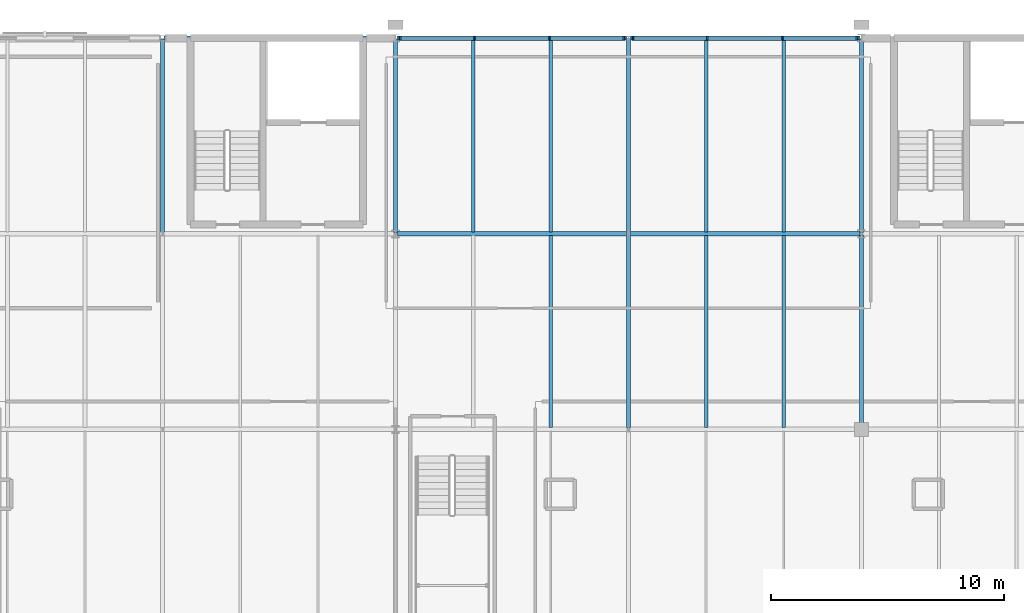
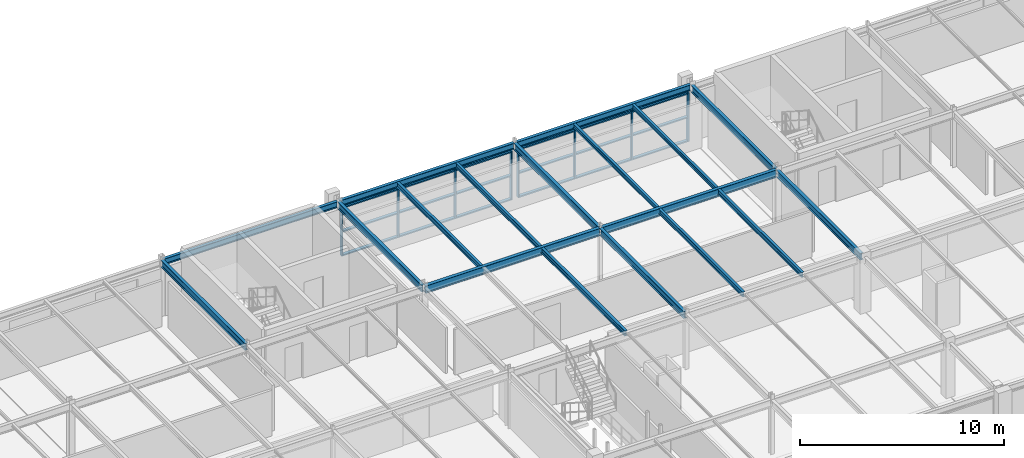
# One storey, part 83 of 109: 26 members, 18 beams, 2 elements without a shape of their own.
"""IFC4 building model written with IfcOpenShell, lengths in metres."""

from ifc_helpers import new_model, si_unit, derived_unit, direction, frame, origin, origin_2d_with_axis, place, context, subcontext, project, spatial, rectangle, i_section, extrude, material, material_profile, profile_set, type_object, element, aggregate, save


model = new_model("IFC4")

# Units and contexts
model_context = context("Model", 3, precision=1e-05, world=origin(), true_north=direction((0.0, 1.0)))
body_context = subcontext(model_context, "Body", "Model", "MODEL_VIEW")
ifc_project = project(units=[si_unit("LENGTHUNIT", "METRE"), si_unit("AREAUNIT", "SQUARE_METRE"), si_unit("VOLUMEUNIT", "CUBIC_METRE"), si_unit("PLANEANGLEUNIT", "RADIAN"), si_unit("MASSUNIT", "GRAM", prefix="KILO"), derived_unit("THERMALTRANSMITTANCEUNIT", [(si_unit("POWERUNIT", "WATT"), 1), (si_unit("LENGTHUNIT", "METRE"), -2), (si_unit("THERMODYNAMICTEMPERATUREUNIT", "KELVIN"), -1)])], contexts=[model_context])

# Site, building, storey
site_placement = place(None, origin())
site = spatial("IfcSite", under=ifc_project, at=site_placement, CompositionType="ELEMENT")
building_placement = place(site_placement, origin())
building = spatial("IfcBuilding", under=site, at=building_placement, Name="Cinnabar Yard Market Hall", CompositionType="ELEMENT")
storey_placement = place(building_placement, frame((0.0, 0.0, 8.39990234375)))
storey = spatial("IfcBuildingStorey", under=building, at=storey_placement, Name="L02", CompositionType="ELEMENT", Elevation=8.39990234375)

# Beams
ifc_material_1 = material(Name="Steel Grade 300 (300 MPa)", Category="steel")
ifc_material_profile_1 = material_profile(ifc_material_1, i_section(OverallWidth=0.18994140625, OverallDepth=0.453857421875, WebThickness=0.008544921875, FlangeThickness=0.0126953125, FilletRadius=0.011474609375, at=origin_2d_with_axis()), Name="460UB67.1")
ifc_profile_set_1 = profile_set([ifc_material_profile_1], Name="Steel Grade 300 (300 MPa)")
beam_type_1 = type_object("IfcBeamType", Name="BM-B05", PredefinedType="BEAM", material=ifc_profile_set_1)
for number, where, z_axis, x_axis, name in (
    (1, (106.06005859375, 129.60009765625, 3.13330078125), (1.0, 0.0, 0.0), (0.0, 1.0, 0.0), "V3 L02 Girder X 01210"),
    (2, (116.06005859375, 129.60009765625, 3.13330078125), (1.0, 0.0, 0.0), (0.0, 1.0, 0.0), "V3 L02 Girder X 01215"),
):
    element("IfcBeam", number, at=place(storey_placement, frame(where, z_axis=z_axis, x_axis=x_axis)), inside=storey, type_object=beam_type_1, Name=name, PredefinedType="BEAM", context=body_context, shape_type="SweptSolid", body=[
        extrude(i_section(OverallWidth=0.18994140625, OverallDepth=0.453857421875, WebThickness=0.008544921875, FlangeThickness=0.0126953125, FilletRadius=0.011474609375, at=origin_2d_with_axis()), origin(), (0.0, 0.0, 1.0), 9.8798828125),
    ])
ifc_material_profile_2 = material_profile(ifc_material_1, i_section(OverallWidth=0.177978515625, OverallDepth=0.406494140625, WebThickness=0.0078125, FlangeThickness=0.0126953125, FilletRadius=0.011474609375, at=origin_2d_with_axis()), Name="410UB59.7")
ifc_profile_set_2 = profile_set([ifc_material_profile_2], Name="Steel Grade 300 (300 MPa)")
beam_type_2 = type_object("IfcBeamType", Name="BM-B06", PredefinedType="BEAM", material=ifc_profile_set_2)
for number, where, z_axis, x_axis, name in (
    (3, (96.0, 129.659912109375, 3.156982421875), (0.0, 1.0, 0.0), (-1.0, 0.0, 0.0), "V3 L02 Girder Y 01252"),
    (4, (106.0, 129.659912109375, 3.156982421875), (0.0, 1.0, 0.0), (-1.0, 0.0, 0.0), "V3 L02 Girder Y 01256"),
    (5, (116.0, 121.260009765625, 3.156982421875), (0.0, 1.0, 0.0), (-1.0, 0.0, 0.0), "V3 L02 Girder Y 01259"),
    (6, (116.0, 129.659912109375, 3.156982421875), (0.0, 1.0, 0.0), (-1.0, 0.0, 0.0), "V3 L02 Girder Y 01260"),
    (7, (126.0, 121.260009765625, 3.156982421875), (0.0, 1.0, 0.0), (-1.0, 0.0, 0.0), "V3 L02 Girder Y 01263"),
    (8, (126.0, 129.659912109375, 3.156982421875), (0.0, 1.0, 0.0), (-1.0, 0.0, 0.0), "V3 L02 Girder Y 01264"),
):
    element("IfcBeam", number, at=place(storey_placement, frame(where, z_axis=z_axis, x_axis=x_axis)), inside=storey, type_object=beam_type_2, Name=name, PredefinedType="BEAM", context=body_context, shape_type="SweptSolid", body=[
        extrude(i_section(OverallWidth=0.177978515625, OverallDepth=0.406494140625, WebThickness=0.0078125, FlangeThickness=0.0126953125, FilletRadius=0.011474609375, at=origin_2d_with_axis()), origin(), (0.0, 0.0, 1.0), 8.280029296875),
    ])
ifc_material_profile_3 = material_profile(ifc_material_1, i_section(OverallWidth=0.14892578125, OverallDepth=0.298095703125, WebThickness=0.005615234375, FlangeThickness=0.008056640625, FilletRadius=0.0087890625, at=origin_2d_with_axis()), Name="310UB32.0")
ifc_profile_set_3 = profile_set([ifc_material_profile_3], Name="Steel Grade 300 (300 MPa)")
beam_type_3 = type_object("IfcBeamType", Name="BM-J02", PredefinedType="JOIST", material=ifc_profile_set_3)
for number, where, z_axis, x_axis, name in (
    (9, (119.333251953125, 121.27490234375, 3.211181640625), (0.0, 1.0, 0.0), (-1.0, 0.0, 0.0), "V3 L02 Joist 01320"),
    (10, (122.666748046875, 121.27490234375, 3.211181640625), (0.0, 1.0, 0.0), (-1.0, 0.0, 0.0), "V3 L02 Joist 01324"),
):
    element("IfcBeam", number, at=place(storey_placement, frame(where, z_axis=z_axis, x_axis=x_axis)), inside=storey, type_object=beam_type_3, Name=name, PredefinedType="JOIST", context=body_context, shape_type="SweptSolid", body=[
        extrude(i_section(OverallWidth=0.14892578125, OverallDepth=0.298095703125, WebThickness=0.005615234375, FlangeThickness=0.008056640625, FilletRadius=0.0087890625, at=origin_2d_with_axis()), origin(), (0.0, 0.0, 1.0), 8.25),
    ])
ifc_material_profile_4 = material_profile(ifc_material_1, i_section(OverallWidth=0.14599609375, OverallDepth=0.256103515625, WebThickness=0.00634765625, FlangeThickness=0.010986328125, FilletRadius=0.0087890625, at=origin_2d_with_axis()), Name="250UB37.3")
ifc_profile_set_4 = profile_set([ifc_material_profile_4], Name="Steel Grade 300 (300 MPa)")
beam_type_4 = type_object("IfcBeamType", Name="BM-J03", PredefinedType="JOIST", material=ifc_profile_set_4)
for number, where, z_axis, x_axis, name in (
    (11, (119.333251953125, 129.675048828125, 3.23193359375), (0.0, 1.0, 0.0), (-1.0, 0.0, 0.0), "V3 L02 Joist 01321"),
    (12, (122.666748046875, 129.675048828125, 3.23193359375), (0.0, 1.0, 0.0), (-1.0, 0.0, 0.0), "V3 L02 Joist 01325"),
):
    element("IfcBeam", number, at=place(storey_placement, frame(where, z_axis=z_axis, x_axis=x_axis)), inside=storey, type_object=beam_type_4, Name=name, PredefinedType="JOIST", context=body_context, shape_type="SweptSolid", body=[
        extrude(i_section(OverallWidth=0.14599609375, OverallDepth=0.256103515625, WebThickness=0.00634765625, FlangeThickness=0.010986328125, FilletRadius=0.0087890625, at=origin_2d_with_axis()), origin(), (0.0, 0.0, 1.0), 8.25),
    ])
ifc_material_profile_5 = material_profile(ifc_material_1, i_section(OverallWidth=0.1650390625, OverallDepth=0.303955078125, WebThickness=0.006103515625, FlangeThickness=0.01025390625, FilletRadius=0.011474609375, at=origin_2d_with_axis()), Name="310UB40.4")
ifc_profile_set_5 = profile_set([ifc_material_profile_5], Name="Steel Grade 300 (300 MPa)")
beam_type_5 = type_object("IfcBeamType", Name="BM-J16", PredefinedType="JOIST", material=ifc_profile_set_5)
beam_placement = place(storey_placement, frame((112.666748046875, 121.27490234375, 3.2080078125), z_axis=(0.0, 1.0, 0.0), x_axis=(-1.0, 0.0, 0.0)))
element("IfcBeam", 13, at=beam_placement, inside=storey, type_object=beam_type_5, Name="V3 L02 Joist 01316", PredefinedType="JOIST", context=body_context, shape_type="SweptSolid", body=[
    extrude(i_section(OverallWidth=0.1650390625, OverallDepth=0.303955078125, WebThickness=0.006103515625, FlangeThickness=0.01025390625, FilletRadius=0.011474609375, at=origin_2d_with_axis()), origin(), (0.0, 0.0, 1.0), 8.25),
])
ifc_material_profile_6 = material_profile(ifc_material_1, i_section(OverallWidth=0.14892578125, OverallDepth=0.298095703125, WebThickness=0.005615234375, FlangeThickness=0.008056640625, FilletRadius=0.0087890625, at=origin_2d_with_axis()), Name="310UB32.0")
ifc_profile_set_6 = profile_set([ifc_material_profile_6], Name="Steel Grade 300 (300 MPa)")
beam_type_6 = type_object("IfcBeamType", Name="BM-J17", PredefinedType="JOIST", material=ifc_profile_set_6)
for number, where, z_axis, x_axis, name in (
    (14, (109.333251953125, 129.675048828125, 3.211181640625), (0.0, 1.0, 0.0), (-1.0, 0.0, 0.0), "V3 L02 Joist 01313"),
    (15, (112.666748046875, 129.675048828125, 3.211181640625), (0.0, 1.0, 0.0), (-1.0, 0.0, 0.0), "V3 L02 Joist 01317"),
):
    element("IfcBeam", number, at=place(storey_placement, frame(where, z_axis=z_axis, x_axis=x_axis)), inside=storey, type_object=beam_type_6, Name=name, PredefinedType="JOIST", context=body_context, shape_type="SweptSolid", body=[
        extrude(i_section(OverallWidth=0.14892578125, OverallDepth=0.298095703125, WebThickness=0.005615234375, FlangeThickness=0.008056640625, FilletRadius=0.0087890625, at=origin_2d_with_axis()), origin(), (0.0, 0.0, 1.0), 8.25),
    ])
ifc_material_profile_7 = material_profile(ifc_material_1, i_section(OverallWidth=0.172119140625, OverallDepth=0.358642578125, WebThickness=0.008056640625, FlangeThickness=0.012939453125, FilletRadius=0.011474609375, at=origin_2d_with_axis()), Name="360UB56.7")
ifc_profile_set_7 = profile_set([ifc_material_profile_7], Name="Steel Grade 300 (300 MPa)")
beam_type_7 = type_object("IfcBeamType", Name="BM-SP02E", PredefinedType="SPANDREL", material=ifc_profile_set_7)
for number, where, z_axis, x_axis, name in (
    (16, (96.06005859375, 138.0, 3.180908203125), (1.0, 0.0, 0.0), (0.0, 1.0, 0.0), "V3 L02 Girder X 01206"),
    (17, (106.06005859375, 138.0, 3.180908203125), (1.0, 0.0, 0.0), (0.0, 1.0, 0.0), "V3 L02 Girder X 01211"),
    (18, (116.06005859375, 138.0, 3.180908203125), (1.0, 0.0, 0.0), (0.0, 1.0, 0.0), "V3 L02 Girder X 01216"),
):
    element("IfcBeam", number, at=place(storey_placement, frame(where, z_axis=z_axis, x_axis=x_axis)), inside=storey, type_object=beam_type_7, Name=name, PredefinedType="SPANDREL", context=body_context, shape_type="SweptSolid", body=[
        extrude(i_section(OverallWidth=0.172119140625, OverallDepth=0.358642578125, WebThickness=0.008056640625, FlangeThickness=0.012939453125, FilletRadius=0.011474609375, at=origin_2d_with_axis()), origin(), (0.0, 0.0, 1.0), 9.8798828125),
    ])

# Curtain wall, members
ifc_material_2 = material(Name="Anodised bronze aluminium courtyard facade", Category="aluminium")
curtain_wall_type = type_object("IfcCurtainWallType", Name="CW-CWF097x29", PredefinedType="NOTDEFINED", material=ifc_material_2)
curtain_wall_1_placement = place(storey_placement, origin())
curtain_wall_1 = element("IfcCurtainWall", 19, at=curtain_wall_1_placement, inside=storey, type_object=curtain_wall_type, Name="Wing North Pishtaq Glazing L02 Bay 5", PredefinedType="NOTDEFINED")
ifc_material_3 = material(Name="Anodised bronze aluminium", Category="aluminium")
ifc_material_profile_8 = material_profile(ifc_material_3, rectangle(XDim=0.179931640625, YDim=0.074951171875, at=origin_2d_with_axis()), Name="MUL-CWF")
ifc_profile_set_8 = profile_set([ifc_material_profile_8], Name="Anodised bronze aluminium")
member_type_1 = type_object("IfcMemberType", Name="CWM-CWF", PredefinedType="MULLION", material=ifc_profile_set_8)
member_1_placement = place(storey_placement, frame((115.802490234375, 138.0, 0.0), z_axis=(0.0, 0.0, 1.0), x_axis=(0.0, -1.0, 0.0)))
member_1 = element("IfcMember", 20, at=member_1_placement, type_object=member_type_1, Name="CWF097x29 mullion 1", PredefinedType="MULLION", context=body_context, shape_type="SweptSolid", body=[
    extrude(rectangle(XDim=0.179931640625, YDim=0.074951171875, at=origin_2d_with_axis()), origin(), (0.0, 0.0, 1.0), 2.920166015625),
])
member_2_placement = place(storey_placement, frame((112.61328125, 138.0, 0.0), z_axis=(0.0, 0.0, 1.0), x_axis=(0.0, -1.0, 0.0)))
member_2 = element("IfcMember", 21, at=member_2_placement, type_object=member_type_1, Name="CWF097x29 mullion 2", PredefinedType="MULLION", context=body_context, shape_type="SweptSolid", body=[
    extrude(rectangle(XDim=0.179931640625, YDim=0.074951171875, at=origin_2d_with_axis()), origin(), (0.0, 0.0, 1.0), 2.920166015625),
])
member_3_placement = place(storey_placement, frame((109.38671875, 138.0, 0.0), z_axis=(0.0, 0.0, 1.0), x_axis=(0.0, -1.0, 0.0)))
member_3 = element("IfcMember", 22, at=member_3_placement, type_object=member_type_1, Name="CWF097x29 mullion 3", PredefinedType="MULLION", context=body_context, shape_type="SweptSolid", body=[
    extrude(rectangle(XDim=0.179931640625, YDim=0.074951171875, at=origin_2d_with_axis()), origin(), (0.0, 0.0, 1.0), 2.920166015625),
])
member_4_placement = place(storey_placement, frame((106.197509765625, 138.0, 0.0), z_axis=(0.0, 0.0, 1.0), x_axis=(0.0, -1.0, 0.0)))
member_4 = element("IfcMember", 23, at=member_4_placement, type_object=member_type_1, Name="CWF097x29 mullion 4", PredefinedType="MULLION", context=body_context, shape_type="SweptSolid", body=[
    extrude(rectangle(XDim=0.179931640625, YDim=0.074951171875, at=origin_2d_with_axis()), origin(), (0.0, 0.0, 1.0), 2.920166015625),
])

curtain_wall_2_placement = place(storey_placement, origin())
curtain_wall_2 = element("IfcCurtainWall", 24, at=curtain_wall_2_placement, inside=storey, type_object=curtain_wall_type, Name="Wing North Pishtaq Glazing L02 Bay 6", PredefinedType="NOTDEFINED")
member_5_placement = place(storey_placement, frame((125.802490234375, 138.0, 0.0), z_axis=(0.0, 0.0, 1.0), x_axis=(0.0, -1.0, 0.0)))
member_5 = element("IfcMember", 25, at=member_5_placement, type_object=member_type_1, Name="CWF097x29 mullion 1", PredefinedType="MULLION", context=body_context, shape_type="SweptSolid", body=[
    extrude(rectangle(XDim=0.179931640625, YDim=0.074951171875, at=origin_2d_with_axis()), origin(), (0.0, 0.0, 1.0), 2.920166015625),
])
member_6_placement = place(storey_placement, frame((122.61328125, 138.0, 0.0), z_axis=(0.0, 0.0, 1.0), x_axis=(0.0, -1.0, 0.0)))
member_6 = element("IfcMember", 26, at=member_6_placement, type_object=member_type_1, Name="CWF097x29 mullion 2", PredefinedType="MULLION", context=body_context, shape_type="SweptSolid", body=[
    extrude(rectangle(XDim=0.179931640625, YDim=0.074951171875, at=origin_2d_with_axis()), origin(), (0.0, 0.0, 1.0), 2.920166015625),
])
member_7_placement = place(storey_placement, frame((119.38671875, 138.0, 0.0), z_axis=(0.0, 0.0, 1.0), x_axis=(0.0, -1.0, 0.0)))
member_7 = element("IfcMember", 27, at=member_7_placement, type_object=member_type_1, Name="CWF097x29 mullion 3", PredefinedType="MULLION", context=body_context, shape_type="SweptSolid", body=[
    extrude(rectangle(XDim=0.179931640625, YDim=0.074951171875, at=origin_2d_with_axis()), origin(), (0.0, 0.0, 1.0), 2.920166015625),
])
member_8_placement = place(storey_placement, frame((116.197509765625, 138.0, 0.0), z_axis=(0.0, 0.0, 1.0), x_axis=(0.0, -1.0, 0.0)))
member_8 = element("IfcMember", 28, at=member_8_placement, type_object=member_type_1, Name="CWF097x29 mullion 4", PredefinedType="MULLION", context=body_context, shape_type="SweptSolid", body=[
    extrude(rectangle(XDim=0.179931640625, YDim=0.074951171875, at=origin_2d_with_axis()), origin(), (0.0, 0.0, 1.0), 2.920166015625),
])

# Member
ifc_material_profile_9 = material_profile(ifc_material_3, rectangle(XDim=0.179931640625, YDim=0.074951171875, at=origin_2d_with_axis()), Name="TRN-CWF")
ifc_profile_set_9 = profile_set([ifc_material_profile_9], Name="Anodised bronze aluminium")
member_type_2 = type_object("IfcMemberType", Name="CWT-CWF", PredefinedType="USERDEFINED", material=ifc_profile_set_9)
member_9_placement = place(storey_placement, frame((115.764892578125, 138.0, 0.03759765625), z_axis=(-1.0, 0.0, 0.0), x_axis=(0.0, -1.0, 0.0)))
member_9 = element("IfcMember", 29, at=member_9_placement, type_object=member_type_2, Name="CWF097x29 transom 1.1", ObjectType="TRANSOM", PredefinedType="USERDEFINED", context=body_context, shape_type="SweptSolid", body=[
    extrude(rectangle(XDim=0.179931640625, YDim=0.074951171875, at=origin_2d_with_axis()), origin(), (0.0, 0.0, 1.0), 3.114013671875),
])

member_10_placement = place(storey_placement, frame((115.764892578125, 138.0, 1.460205078125), z_axis=(-1.0, 0.0, 0.0), x_axis=(0.0, -1.0, 0.0)))
member_10 = element("IfcMember", 30, at=member_10_placement, type_object=member_type_2, Name="CWF097x29 transom 1.2", ObjectType="TRANSOM", PredefinedType="USERDEFINED", context=body_context, shape_type="SweptSolid", body=[
    extrude(rectangle(XDim=0.179931640625, YDim=0.074951171875, at=origin_2d_with_axis()), origin(), (0.0, 0.0, 1.0), 3.114013671875),
])

member_11_placement = place(storey_placement, frame((115.764892578125, 138.0, 2.882568359375), z_axis=(-1.0, 0.0, 0.0), x_axis=(0.0, -1.0, 0.0)))
member_11 = element("IfcMember", 31, at=member_11_placement, type_object=member_type_2, Name="CWF097x29 transom 1.3", ObjectType="TRANSOM", PredefinedType="USERDEFINED", context=body_context, shape_type="SweptSolid", body=[
    extrude(rectangle(XDim=0.179931640625, YDim=0.074951171875, at=origin_2d_with_axis()), origin(), (0.0, 0.0, 1.0), 3.114013671875),
])

member_12_placement = place(storey_placement, frame((112.575927734375, 138.0, 0.03759765625), z_axis=(-1.0, 0.0, 0.0), x_axis=(0.0, -1.0, 0.0)))
member_12 = element("IfcMember", 32, at=member_12_placement, type_object=member_type_2, Name="CWF097x29 transom 2.1", ObjectType="TRANSOM", PredefinedType="USERDEFINED", context=body_context, shape_type="SweptSolid", body=[
    extrude(rectangle(XDim=0.179931640625, YDim=0.074951171875, at=origin_2d_with_axis()), origin(), (0.0, 0.0, 1.0), 3.15185546875),
])

member_13_placement = place(storey_placement, frame((112.575927734375, 138.0, 1.460205078125), z_axis=(-1.0, 0.0, 0.0), x_axis=(0.0, -1.0, 0.0)))
member_13 = element("IfcMember", 33, at=member_13_placement, type_object=member_type_2, Name="CWF097x29 transom 2.2", ObjectType="TRANSOM", PredefinedType="USERDEFINED", context=body_context, shape_type="SweptSolid", body=[
    extrude(rectangle(XDim=0.179931640625, YDim=0.074951171875, at=origin_2d_with_axis()), origin(), (0.0, 0.0, 1.0), 3.15185546875),
])

member_14_placement = place(storey_placement, frame((112.575927734375, 138.0, 2.882568359375), z_axis=(-1.0, 0.0, 0.0), x_axis=(0.0, -1.0, 0.0)))
member_14 = element("IfcMember", 34, at=member_14_placement, type_object=member_type_2, Name="CWF097x29 transom 2.3", ObjectType="TRANSOM", PredefinedType="USERDEFINED", context=body_context, shape_type="SweptSolid", body=[
    extrude(rectangle(XDim=0.179931640625, YDim=0.074951171875, at=origin_2d_with_axis()), origin(), (0.0, 0.0, 1.0), 3.15185546875),
])

member_15_placement = place(storey_placement, frame((109.34912109375, 138.0, 0.03759765625), z_axis=(-1.0, 0.0, 0.0), x_axis=(0.0, -1.0, 0.0)))
member_15 = element("IfcMember", 35, at=member_15_placement, type_object=member_type_2, Name="CWF097x29 transom 3.1", ObjectType="TRANSOM", PredefinedType="USERDEFINED", context=body_context, shape_type="SweptSolid", body=[
    extrude(rectangle(XDim=0.179931640625, YDim=0.074951171875, at=origin_2d_with_axis()), origin(), (0.0, 0.0, 1.0), 3.114013671875),
])

member_16_placement = place(storey_placement, frame((109.34912109375, 138.0, 1.460205078125), z_axis=(-1.0, 0.0, 0.0), x_axis=(0.0, -1.0, 0.0)))
member_16 = element("IfcMember", 36, at=member_16_placement, type_object=member_type_2, Name="CWF097x29 transom 3.2", ObjectType="TRANSOM", PredefinedType="USERDEFINED", context=body_context, shape_type="SweptSolid", body=[
    extrude(rectangle(XDim=0.179931640625, YDim=0.074951171875, at=origin_2d_with_axis()), origin(), (0.0, 0.0, 1.0), 3.114013671875),
])

member_17_placement = place(storey_placement, frame((109.34912109375, 138.0, 2.882568359375), z_axis=(-1.0, 0.0, 0.0), x_axis=(0.0, -1.0, 0.0)))
member_17 = element("IfcMember", 37, at=member_17_placement, type_object=member_type_2, Name="CWF097x29 transom 3.3", ObjectType="TRANSOM", PredefinedType="USERDEFINED", context=body_context, shape_type="SweptSolid", body=[
    extrude(rectangle(XDim=0.179931640625, YDim=0.074951171875, at=origin_2d_with_axis()), origin(), (0.0, 0.0, 1.0), 3.114013671875),
])

aggregate(curtain_wall_1, [member_1, member_2, member_3, member_4, member_9, member_10, member_11, member_12, member_13, member_14, member_15, member_16, member_17])

member_18_placement = place(storey_placement, frame((125.764892578125, 138.0, 0.03759765625), z_axis=(-1.0, 0.0, 0.0), x_axis=(0.0, -1.0, 0.0)))
member_18 = element("IfcMember", 38, at=member_18_placement, type_object=member_type_2, Name="CWF097x29 transom 1.1", ObjectType="TRANSOM", PredefinedType="USERDEFINED", context=body_context, shape_type="SweptSolid", body=[
    extrude(rectangle(XDim=0.179931640625, YDim=0.074951171875, at=origin_2d_with_axis()), origin(), (0.0, 0.0, 1.0), 3.114013671875),
])

member_19_placement = place(storey_placement, frame((125.764892578125, 138.0, 1.460205078125), z_axis=(-1.0, 0.0, 0.0), x_axis=(0.0, -1.0, 0.0)))
member_19 = element("IfcMember", 39, at=member_19_placement, type_object=member_type_2, Name="CWF097x29 transom 1.2", ObjectType="TRANSOM", PredefinedType="USERDEFINED", context=body_context, shape_type="SweptSolid", body=[
    extrude(rectangle(XDim=0.179931640625, YDim=0.074951171875, at=origin_2d_with_axis()), origin(), (0.0, 0.0, 1.0), 3.114013671875),
])

member_20_placement = place(storey_placement, frame((125.764892578125, 138.0, 2.882568359375), z_axis=(-1.0, 0.0, 0.0), x_axis=(0.0, -1.0, 0.0)))
member_20 = element("IfcMember", 40, at=member_20_placement, type_object=member_type_2, Name="CWF097x29 transom 1.3", ObjectType="TRANSOM", PredefinedType="USERDEFINED", context=body_context, shape_type="SweptSolid", body=[
    extrude(rectangle(XDim=0.179931640625, YDim=0.074951171875, at=origin_2d_with_axis()), origin(), (0.0, 0.0, 1.0), 3.114013671875),
])

member_21_placement = place(storey_placement, frame((122.575927734375, 138.0, 0.03759765625), z_axis=(-1.0, 0.0, 0.0), x_axis=(0.0, -1.0, 0.0)))
member_21 = element("IfcMember", 41, at=member_21_placement, type_object=member_type_2, Name="CWF097x29 transom 2.1", ObjectType="TRANSOM", PredefinedType="USERDEFINED", context=body_context, shape_type="SweptSolid", body=[
    extrude(rectangle(XDim=0.179931640625, YDim=0.074951171875, at=origin_2d_with_axis()), origin(), (0.0, 0.0, 1.0), 3.15185546875),
])

member_22_placement = place(storey_placement, frame((122.575927734375, 138.0, 1.460205078125), z_axis=(-1.0, 0.0, 0.0), x_axis=(0.0, -1.0, 0.0)))
member_22 = element("IfcMember", 42, at=member_22_placement, type_object=member_type_2, Name="CWF097x29 transom 2.2", ObjectType="TRANSOM", PredefinedType="USERDEFINED", context=body_context, shape_type="SweptSolid", body=[
    extrude(rectangle(XDim=0.179931640625, YDim=0.074951171875, at=origin_2d_with_axis()), origin(), (0.0, 0.0, 1.0), 3.15185546875),
])

member_23_placement = place(storey_placement, frame((122.575927734375, 138.0, 2.882568359375), z_axis=(-1.0, 0.0, 0.0), x_axis=(0.0, -1.0, 0.0)))
member_23 = element("IfcMember", 43, at=member_23_placement, type_object=member_type_2, Name="CWF097x29 transom 2.3", ObjectType="TRANSOM", PredefinedType="USERDEFINED", context=body_context, shape_type="SweptSolid", body=[
    extrude(rectangle(XDim=0.179931640625, YDim=0.074951171875, at=origin_2d_with_axis()), origin(), (0.0, 0.0, 1.0), 3.15185546875),
])

member_24_placement = place(storey_placement, frame((119.34912109375, 138.0, 0.03759765625), z_axis=(-1.0, 0.0, 0.0), x_axis=(0.0, -1.0, 0.0)))
member_24 = element("IfcMember", 44, at=member_24_placement, type_object=member_type_2, Name="CWF097x29 transom 3.1", ObjectType="TRANSOM", PredefinedType="USERDEFINED", context=body_context, shape_type="SweptSolid", body=[
    extrude(rectangle(XDim=0.179931640625, YDim=0.074951171875, at=origin_2d_with_axis()), origin(), (0.0, 0.0, 1.0), 3.114013671875),
])

member_25_placement = place(storey_placement, frame((119.34912109375, 138.0, 1.460205078125), z_axis=(-1.0, 0.0, 0.0), x_axis=(0.0, -1.0, 0.0)))
member_25 = element("IfcMember", 45, at=member_25_placement, type_object=member_type_2, Name="CWF097x29 transom 3.2", ObjectType="TRANSOM", PredefinedType="USERDEFINED", context=body_context, shape_type="SweptSolid", body=[
    extrude(rectangle(XDim=0.179931640625, YDim=0.074951171875, at=origin_2d_with_axis()), origin(), (0.0, 0.0, 1.0), 3.114013671875),
])

member_26_placement = place(storey_placement, frame((119.34912109375, 138.0, 2.882568359375), z_axis=(-1.0, 0.0, 0.0), x_axis=(0.0, -1.0, 0.0)))
member_26 = element("IfcMember", 46, at=member_26_placement, type_object=member_type_2, Name="CWF097x29 transom 3.3", ObjectType="TRANSOM", PredefinedType="USERDEFINED", context=body_context, shape_type="SweptSolid", body=[
    extrude(rectangle(XDim=0.179931640625, YDim=0.074951171875, at=origin_2d_with_axis()), origin(), (0.0, 0.0, 1.0), 3.114013671875),
])

aggregate(curtain_wall_2, [member_5, member_6, member_7, member_8, member_18, member_19, member_20, member_21, member_22, member_23, member_24, member_25, member_26])

save(model, "model.ifc")
